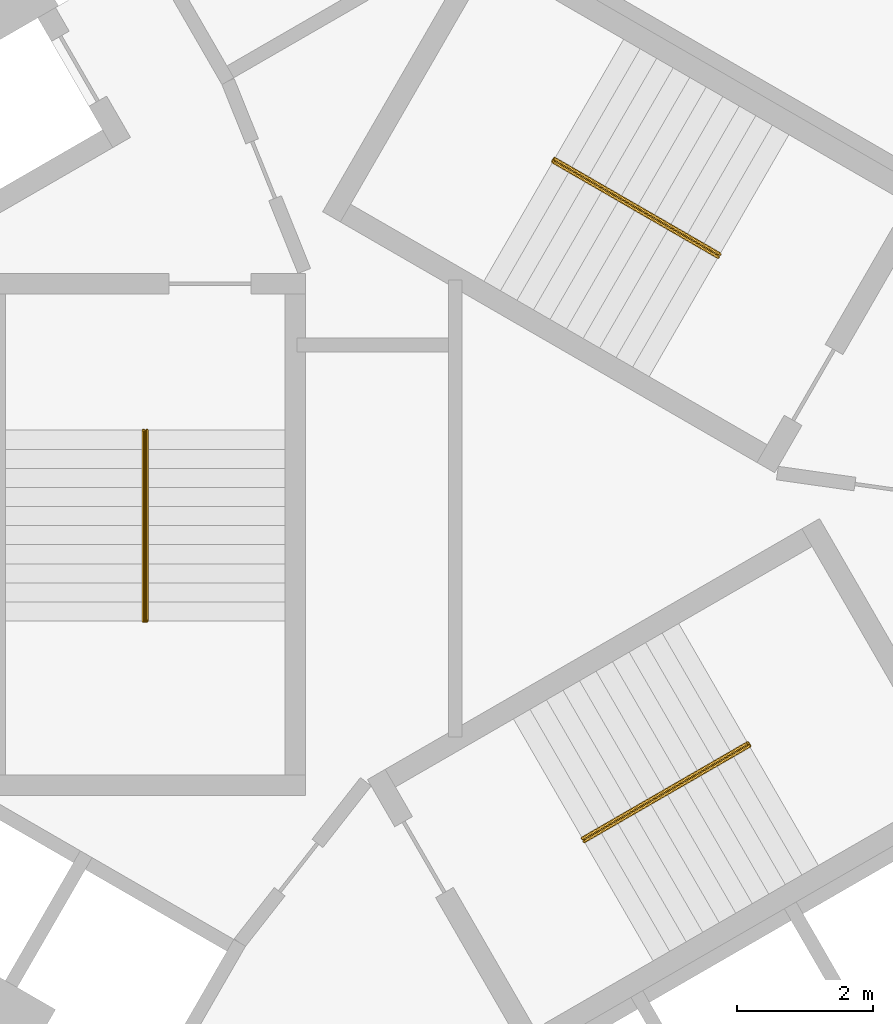
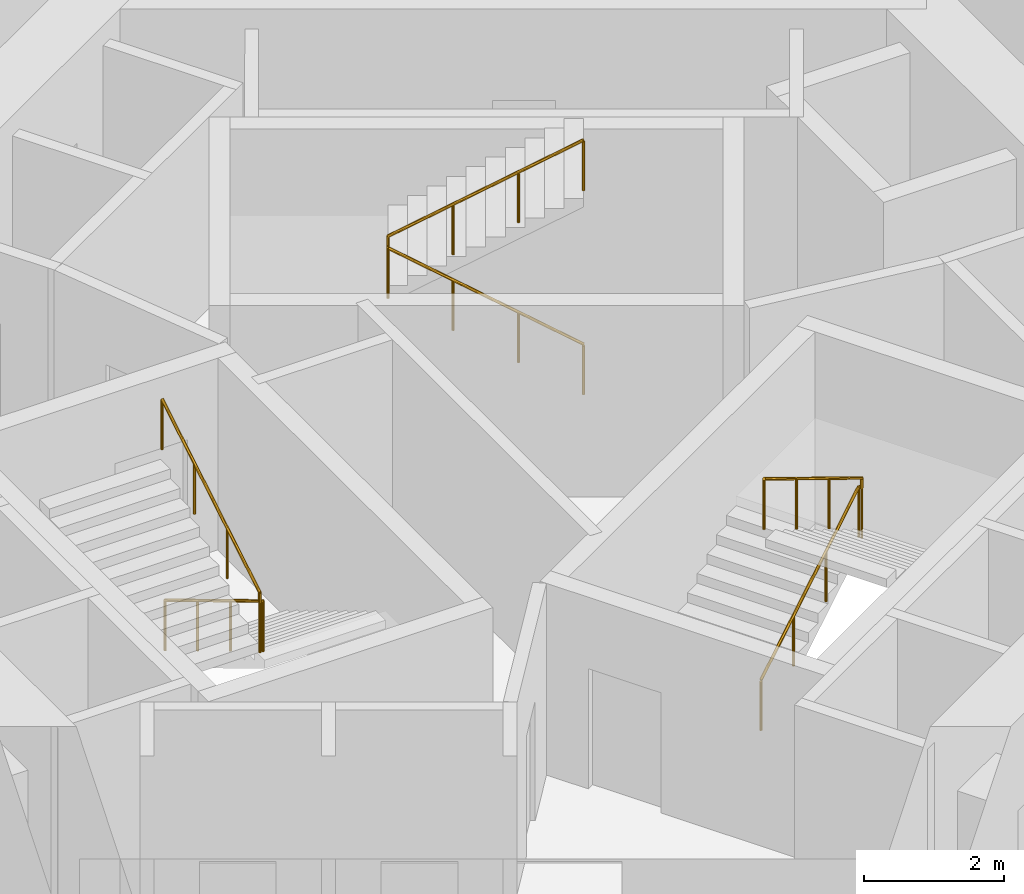
# One storey, part 11 of 11: 3 railings.
"""IFC4 building model written with IfcOpenShell, lengths in metres."""

from ifc_helpers import new_model, si_unit, direction, frame, origin, origin_2d, place, context, subcontext, project, spatial, circle, extrude, material, type_object, element, save


model = new_model("IFC4")

# Units and contexts
model_context = context("Model", 3, precision=1e-05, world=origin(), true_north=direction((0.0, 1.0)))
body_context = subcontext(model_context, "Body", "Model", "MODEL_VIEW")
ifc_project = project(units=[si_unit("LENGTHUNIT", "METRE"), si_unit("AREAUNIT", "SQUARE_METRE"), si_unit("VOLUMEUNIT", "CUBIC_METRE"), si_unit("PLANEANGLEUNIT", "RADIAN"), si_unit("MASSUNIT", "GRAM", prefix="KILO")], contexts=[model_context])

# Site, building, storey
site_placement = place(None, origin())
site = spatial("IfcSite", under=ifc_project, at=site_placement, CompositionType="ELEMENT")
building_placement = place(site_placement, origin())
building = spatial("IfcBuilding", under=site, at=building_placement, Name="Vanh Sen Convention Tower", CompositionType="ELEMENT")
storey_placement = place(building_placement, frame((0.0, 0.0, 202.10009765625)))
storey = spatial("IfcBuildingStorey", under=building, at=storey_placement, Name="L50", CompositionType="ELEMENT", Elevation=202.10009765625)

# Railings
ifc_material = material(Name="Stainless steel handrail", Category="steel")
railing_type = type_object("IfcRailingType", Name="Stair handrail 900", PredefinedType="HANDRAIL", material=ifc_material)
railing_1_placement = place(storey_placement, frame((3.45849609375, 3.690185546875, 0.168212890625)))
element("IfcRailing", 1, at=railing_1_placement, inside=storey, type_object=railing_type, Name="Stair handrail ST1 L50", PredefinedType="HANDRAIL", context=body_context, shape_type="SweptSolid", body=[
    extrude(circle(Radius=0.02392578125, at=origin_2d()), frame((0.0, 0.0, 0.8759765625), z_axis=(-0.74241905619, 0.428617687091, 0.514879426), x_axis=(-0.49998411664, -0.866034573852, 0.0)), (0.0, 0.0, 1.0), 3.26611328125),
    extrude(circle(Radius=0.02392578125, at=origin_2d()), frame((-2.4248046875, 1.39990234375, 2.5576171875), z_axis=(0.497188445666, 0.867642581652, 0.0), x_axis=(-0.867642581652, 0.497188445666, 0.0)), (0.0, 0.0, 1.0), 0.050048828125),
    extrude(circle(Radius=0.02392578125, at=origin_2d()), frame((-2.39990234375, 1.443359375, 2.5576171875), z_axis=(0.0, 0.0, 1.0), x_axis=(1.0, 0.0, 0.0)), (0.0, 0.0, 1.0), 0.168212890625),
    extrude(circle(Radius=0.02392578125, at=origin_2d()), frame((-2.39990234375, 1.443359375, 2.7255859375), z_axis=(0.742366697286, -0.42866220388, 0.514917859203), x_axis=(0.500049511043, 0.865996816683, 0.0)), (0.0, 0.0, 1.0), 3.266357421875),
    extrude(circle(Radius=0.02099609375, at=origin_2d()), origin(), (0.0, 0.0, 1.0), 0.851806640625),
    extrude(circle(Radius=0.02099609375, at=origin_2d()), frame((-0.808349609375, 0.466552734375, 0.560546875)), (0.0, 0.0, 1.0), 0.851806640625),
    extrude(circle(Radius=0.02099609375, at=origin_2d()), frame((-1.616455078125, 0.933349609375, 1.12109375)), (0.0, 0.0, 1.0), 0.851806640625),
    extrude(circle(Radius=0.02099609375, at=origin_2d()), frame((-2.4248046875, 1.39990234375, 1.681640625)), (0.0, 0.0, 1.0), 0.851806640625),
    extrude(circle(Radius=0.02099609375, at=origin_2d()), frame((-2.39990234375, 1.443359375, 1.681640625)), (0.0, 0.0, 1.0), 0.851806640625),
    extrude(circle(Radius=0.02099609375, at=origin_2d()), frame((-2.39990234375, 1.443359375, 1.849853515625)), (0.0, 0.0, 1.0), 0.851806640625),
    extrude(circle(Radius=0.02099609375, at=origin_2d()), frame((-1.591552734375, 0.9765625, 2.410400390625)), (0.0, 0.0, 1.0), 0.851806640625),
    extrude(circle(Radius=0.02099609375, at=origin_2d()), frame((-0.783447265625, 0.510009765625, 2.97119140625)), (0.0, 0.0, 1.0), 0.851806640625),
    extrude(circle(Radius=0.02099609375, at=origin_2d()), frame((0.02490234375, 0.043212890625, 3.53173828125)), (0.0, 0.0, 1.0), 0.851806640625),
])
railing_2_placement = place(storey_placement, frame((-4.925048828125, 1.14990234375, 0.168212890625)))
element("IfcRailing", 2, at=railing_2_placement, inside=storey, type_object=railing_type, Name="Stair handrail ST2 L50", PredefinedType="HANDRAIL", context=body_context, shape_type="SweptSolid", body=[
    extrude(circle(Radius=0.02392578125, at=origin_2d()), frame((0.0, 0.0, 0.8759765625), z_axis=(0.0, -0.857255387014, 0.514891446264), x_axis=(1.0, 0.0, 0.0)), (0.0, 0.0, 1.0), 3.26611328125),
    extrude(circle(Radius=0.02392578125, at=origin_2d()), frame((0.0, -2.7998046875, 2.5576171875), z_axis=(-1.0, 0.0, 0.0), x_axis=(0.0, -1.0, 0.0)), (0.0, 0.0, 1.0), 0.050048828125),
    extrude(circle(Radius=0.02392578125, at=origin_2d()), frame((-0.050048828125, -2.7998046875, 2.5576171875), z_axis=(0.0, 0.0, 1.0), x_axis=(1.0, 0.0, 0.0)), (0.0, 0.0, 1.0), 0.168212890625),
    extrude(circle(Radius=0.02392578125, at=origin_2d()), frame((-0.050048828125, -2.7998046875, 2.7255859375), z_axis=(0.0, 0.857222391501, 0.514946377315), x_axis=(-1.0, 0.0, 0.0)), (0.0, 0.0, 1.0), 3.26611328125),
    extrude(circle(Radius=0.02099609375, at=origin_2d()), origin(), (0.0, 0.0, 1.0), 0.851806640625),
    extrude(circle(Radius=0.02099609375, at=origin_2d()), frame((0.0, -0.933349609375, 0.560546875)), (0.0, 0.0, 1.0), 0.851806640625),
    extrude(circle(Radius=0.02099609375, at=origin_2d()), frame((0.0, -1.866455078125, 1.12109375)), (0.0, 0.0, 1.0), 0.851806640625),
    extrude(circle(Radius=0.02099609375, at=origin_2d()), frame((0.0, -2.7998046875, 1.681640625)), (0.0, 0.0, 1.0), 0.851806640625),
    extrude(circle(Radius=0.02099609375, at=origin_2d()), frame((-0.050048828125, -2.7998046875, 1.681640625)), (0.0, 0.0, 1.0), 0.851806640625),
    extrude(circle(Radius=0.02099609375, at=origin_2d()), frame((-0.050048828125, -2.7998046875, 1.849853515625)), (0.0, 0.0, 1.0), 0.851806640625),
    extrude(circle(Radius=0.02099609375, at=origin_2d()), frame((-0.050048828125, -1.866455078125, 2.410400390625)), (0.0, 0.0, 1.0), 0.851806640625),
    extrude(circle(Radius=0.02099609375, at=origin_2d()), frame((-0.050048828125, -0.933349609375, 2.97119140625)), (0.0, 0.0, 1.0), 0.851806640625),
    extrude(circle(Radius=0.02099609375, at=origin_2d()), frame((-0.050048828125, 0.0, 3.53173828125)), (0.0, 0.0, 1.0), 0.851806640625),
])
railing_3_placement = place(storey_placement, frame((1.466552734375, -4.840087890625, 0.168212890625)))
element("IfcRailing", 3, at=railing_3_placement, inside=storey, type_object=railing_type, Name="Stair handrail ST3 L50", PredefinedType="HANDRAIL", context=body_context, shape_type="SweptSolid", body=[
    extrude(circle(Radius=0.02392578125, at=origin_2d()), frame((0.0, 0.0, 0.8759765625), z_axis=(0.74241905619, 0.428617687091, 0.514879426), x_axis=(-0.49998411664, 0.866034573852, 0.0)), (0.0, 0.0, 1.0), 3.26611328125),
    extrude(circle(Radius=0.02392578125, at=origin_2d()), frame((2.4248046875, 1.39990234375, 2.5576171875), z_axis=(0.502959906984, -0.86430974307, 0.0), x_axis=(0.86430974307, 0.502959906984, 0.0)), (0.0, 0.0, 1.0), 0.050048828125),
    extrude(circle(Radius=0.02392578125, at=origin_2d()), frame((2.449951171875, 1.356689453125, 2.5576171875), z_axis=(0.0, 0.0, 1.0), x_axis=(1.0, 0.0, 0.0)), (0.0, 0.0, 1.0), 0.168212890625),
    extrude(circle(Radius=0.02392578125, at=origin_2d()), frame((2.449951171875, 1.356689453125, 2.7255859375), z_axis=(-0.742366697286, -0.42866220388, 0.514917859203), x_axis=(0.500049511043, -0.865996816683, 0.0)), (0.0, 0.0, 1.0), 3.266357421875),
    extrude(circle(Radius=0.02099609375, at=origin_2d()), origin(), (0.0, 0.0, 1.0), 0.851806640625),
    extrude(circle(Radius=0.02099609375, at=origin_2d()), frame((0.808349609375, 0.466552734375, 0.560546875)), (0.0, 0.0, 1.0), 0.851806640625),
    extrude(circle(Radius=0.02099609375, at=origin_2d()), frame((1.616455078125, 0.933349609375, 1.12109375)), (0.0, 0.0, 1.0), 0.851806640625),
    extrude(circle(Radius=0.02099609375, at=origin_2d()), frame((2.4248046875, 1.39990234375, 1.681640625)), (0.0, 0.0, 1.0), 0.851806640625),
    extrude(circle(Radius=0.02099609375, at=origin_2d()), frame((2.449951171875, 1.356689453125, 1.681640625)), (0.0, 0.0, 1.0), 0.851806640625),
    extrude(circle(Radius=0.02099609375, at=origin_2d()), frame((2.449951171875, 1.356689453125, 1.849853515625)), (0.0, 0.0, 1.0), 0.851806640625),
    extrude(circle(Radius=0.02099609375, at=origin_2d()), frame((1.6416015625, 0.889892578125, 2.410400390625)), (0.0, 0.0, 1.0), 0.851806640625),
    extrude(circle(Radius=0.02099609375, at=origin_2d()), frame((0.83349609375, 0.42333984375, 2.97119140625)), (0.0, 0.0, 1.0), 0.851806640625),
    extrude(circle(Radius=0.02099609375, at=origin_2d()), frame((0.025146484375, -0.04345703125, 3.53173828125)), (0.0, 0.0, 1.0), 0.851806640625),
])

save(model, "model.ifc")
